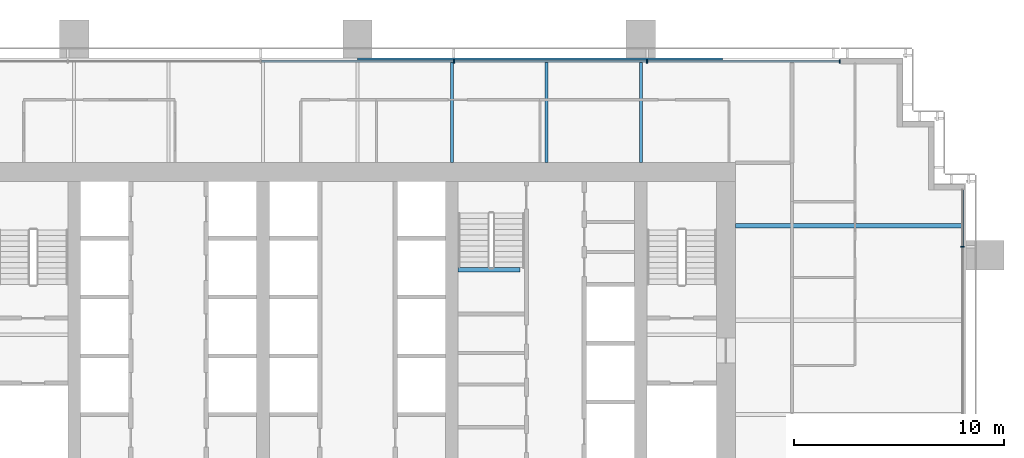
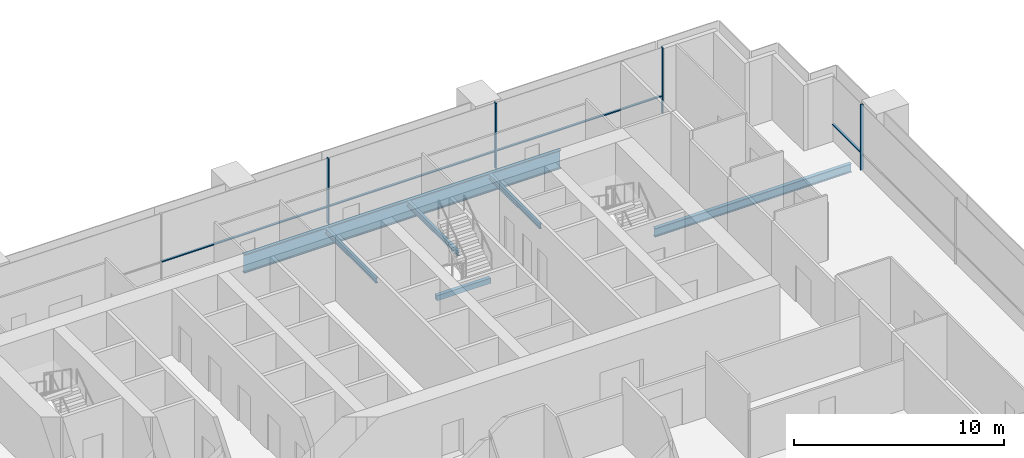
# One storey, part 8 of 18: 8 members, 6 beams, 2 elements without a shape of their own.
"""IFC4 building model written with IfcOpenShell, lengths in metres."""

from ifc_helpers import new_model, si_unit, direction, frame, origin, origin_2d, place, context, subcontext, project, spatial, rectangle, i_section, extrude, material, material_profile, profile_set, type_object, element, aggregate, save


model = new_model("IFC4")

# Units and contexts
model_context = context("Model", 3, precision=1e-05, world=origin(), true_north=direction((0.0, 1.0)))
body_context = subcontext(model_context, "Body", "Model", "MODEL_VIEW")
ifc_project = project(units=[si_unit("LENGTHUNIT", "METRE"), si_unit("AREAUNIT", "SQUARE_METRE"), si_unit("VOLUMEUNIT", "CUBIC_METRE"), si_unit("PLANEANGLEUNIT", "RADIAN"), si_unit("MASSUNIT", "GRAM", prefix="KILO")], contexts=[model_context])

# Site, building, storey
site_placement = place(None, origin())
site = spatial("IfcSite", under=ifc_project, at=site_placement, CompositionType="ELEMENT")
building_placement = place(site_placement, origin())
building = spatial("IfcBuilding", under=site, at=building_placement, Name="Rattan Terrace Tower", CompositionType="ELEMENT")
storey_placement = place(building_placement, frame((0.0, 0.0, 134.10009765625)))
storey = spatial("IfcBuildingStorey", under=building, at=storey_placement, Name="L30", CompositionType="ELEMENT", Elevation=134.10009765625)

# Beam
ifc_material_1 = material(Name="Concrete C40/50", Category="concrete")
ifc_material_profile_1 = material_profile(ifc_material_1, rectangle(XDim=0.199951171875, YDim=0.300048828125, at=origin_2d()), Name="RC 200x300")
ifc_profile_set_1 = profile_set([ifc_material_profile_1], Name="Concrete C40/50")
beam_type_1 = type_object("IfcBeamType", Name="Core landing beam RC 200x300", PredefinedType="BEAM", material=ifc_profile_set_1)
beam_1_placement = place(storey_placement, frame((4.800048828125, 2.39990234375, 1.64990234375), z_axis=(1.0, 0.0, 0.0), x_axis=(0.0, 1.0, 0.0)))
element("IfcBeam", 1, at=beam_1_placement, inside=storey, type_object=beam_type_1, Name="st-S3-L30 landing 1 edge beam", PredefinedType="BEAM", context=body_context, shape_type="SweptSolid", body=[
    extrude(rectangle(XDim=0.199951171875, YDim=0.300048828125, at=origin_2d()), origin(), (0.0, 0.0, 1.0), 2.949951171875),
])

# Curtain wall, member
ifc_material_2 = material(Name="Aluminium and glass", Category="aluminium")
curtain_wall_type = type_object("IfcCurtainWallType", Name="Facade Unitised Curtain Wall", PredefinedType="NOTDEFINED", material=ifc_material_2)
curtain_wall_1_placement = place(storey_placement, origin())
curtain_wall_1 = element("IfcCurtainWall", 2, at=curtain_wall_1_placement, inside=storey, type_object=curtain_wall_type, Name="Curtain wall L30-1", PredefinedType="NOTDEFINED")
ifc_material_3 = material(Name="Aluminium", Category="aluminium")
ifc_material_profile_2 = material_profile(ifc_material_3, rectangle(XDim=0.06005859375, YDim=0.159912109375, at=origin_2d()), Name="Aluminium 60x160")
ifc_profile_set_2 = profile_set([ifc_material_profile_2], Name="Aluminium")
member_type_1 = type_object("IfcMemberType", Name="Facade CW Mullion 60x160", PredefinedType="MULLION", material=ifc_profile_set_2)
member_1_placement = place(storey_placement, frame((28.830078125, 3.5, 0.0), z_axis=(0.0, 0.0, 1.0), x_axis=(0.0, 1.0, 0.0)))
member_1 = element("IfcMember", 3, at=member_1_placement, type_object=member_type_1, Name="Mullion cwl-L30-001.4", PredefinedType="MULLION", context=body_context, shape_type="SweptSolid", body=[
    extrude(rectangle(XDim=0.06005859375, YDim=0.159912109375, at=origin_2d()), origin(), (0.0, 0.0, 1.0), 3.7998046875),
])

# Curtain wall, members
curtain_wall_2_placement = place(storey_placement, origin())
curtain_wall_2 = element("IfcCurtainWall", 4, at=curtain_wall_2_placement, inside=storey, type_object=curtain_wall_type, Name="Curtain wall L30-2", PredefinedType="NOTDEFINED")
member_2_placement = place(storey_placement, frame((22.969970703125, 12.330078125, 0.0), z_axis=(0.0, 0.0, 1.0), x_axis=(-1.0, 0.0, 0.0)))
member_2 = element("IfcMember", 5, at=member_2_placement, type_object=member_type_1, Name="Mullion cwl-L30-002.1", PredefinedType="MULLION", context=body_context, shape_type="SweptSolid", body=[
    extrude(rectangle(XDim=0.06005859375, YDim=0.159912109375, at=origin_2d()), origin(), (0.0, 0.0, 1.0), 3.7998046875),
])
member_3_placement = place(storey_placement, frame((13.799072265625, 12.330078125, 0.0), z_axis=(0.0, 0.0, 1.0), x_axis=(-1.0, 0.0, 0.0)))
member_3 = element("IfcMember", 6, at=member_3_placement, type_object=member_type_1, Name="Mullion cwl-L30-002.2", PredefinedType="MULLION", context=body_context, shape_type="SweptSolid", body=[
    extrude(rectangle(XDim=0.06005859375, YDim=0.159912109375, at=origin_2d()), origin(), (0.0, 0.0, 1.0), 3.7998046875),
])
member_4_placement = place(storey_placement, frame((4.597900390625, 12.330078125, 0.0), z_axis=(0.0, 0.0, 1.0), x_axis=(-1.0, 0.0, 0.0)))
member_4 = element("IfcMember", 7, at=member_4_placement, type_object=member_type_1, Name="Mullion cwl-L30-002.3", PredefinedType="MULLION", context=body_context, shape_type="SweptSolid", body=[
    extrude(rectangle(XDim=0.06005859375, YDim=0.159912109375, at=origin_2d()), origin(), (0.0, 0.0, 1.0), 3.7998046875),
])

# Member
ifc_material_4 = material(Name="Aluminium", Category="aluminium")
ifc_material_profile_3 = material_profile(ifc_material_4, rectangle(XDim=0.1201171875, YDim=0.06005859375, at=origin_2d()), Name="Aluminium 120x60")
ifc_profile_set_3 = profile_set([ifc_material_profile_3], Name="Aluminium")
member_type_2 = type_object("IfcMemberType", Name="Facade CW Transom 120x60", PredefinedType="USERDEFINED", material=ifc_profile_set_3)
member_5_placement = place(storey_placement, frame((28.830078125, 3.530029296875, 1.0), z_axis=(0.0, 1.0, 0.0), x_axis=(-1.0, 0.0, 0.0)))
member_5 = element("IfcMember", 8, at=member_5_placement, type_object=member_type_2, Name="Transom cwl-L30-001.4", ObjectType="TRANSOM", PredefinedType="USERDEFINED", context=body_context, shape_type="SweptSolid", body=[
    extrude(rectangle(XDim=0.1201171875, YDim=0.06005859375, at=origin_2d()), origin(), (0.0, 0.0, 1.0), 2.675048828125),
])

aggregate(curtain_wall_1, [member_1, member_5])

member_6_placement = place(storey_placement, frame((22.93994140625, 12.330078125, 1.0), z_axis=(-1.0, 0.0, 0.0), x_axis=(0.0, -1.0, 0.0)))
member_6 = element("IfcMember", 9, at=member_6_placement, type_object=member_type_2, Name="Transom cwl-L30-002.1", ObjectType="TRANSOM", PredefinedType="USERDEFINED", context=body_context, shape_type="SweptSolid", body=[
    extrude(rectangle(XDim=0.1201171875, YDim=0.06005859375, at=origin_2d()), origin(), (0.0, 0.0, 1.0), 9.11083984375),
])

member_7_placement = place(storey_placement, frame((13.76904296875, 12.330078125, 1.0), z_axis=(-1.0, 0.0, 0.0), x_axis=(0.0, -1.0, 0.0)))
member_7 = element("IfcMember", 10, at=member_7_placement, type_object=member_type_2, Name="Transom cwl-L30-002.2", ObjectType="TRANSOM", PredefinedType="USERDEFINED", context=body_context, shape_type="SweptSolid", body=[
    extrude(rectangle(XDim=0.1201171875, YDim=0.06005859375, at=origin_2d()), origin(), (0.0, 0.0, 1.0), 9.14111328125),
])

member_8_placement = place(storey_placement, frame((4.568115234375, 12.330078125, 1.0), z_axis=(-1.0, 0.0, 0.0), x_axis=(0.0, -1.0, 0.0)))
member_8 = element("IfcMember", 11, at=member_8_placement, type_object=member_type_2, Name="Transom cwl-L30-002.3", ObjectType="TRANSOM", PredefinedType="USERDEFINED", context=body_context, shape_type="SweptSolid", body=[
    extrude(rectangle(XDim=0.1201171875, YDim=0.06005859375, at=origin_2d()), origin(), (0.0, 0.0, 1.0), 9.14111328125),
])

aggregate(curtain_wall_2, [member_2, member_3, member_4, member_6, member_7, member_8])

# Beams
ifc_material_5 = material(Name="Steel S460", Category="steel")
ifc_material_profile_4 = material_profile(ifc_material_5, i_section(OverallWidth=0.179931640625, OverallDepth=1.10009765625, WebThickness=0.01611328125, FlangeThickness=0.050048828125, at=origin_2d()), Name="PG 1100x180-16-50")
ifc_profile_set_4 = profile_set([ifc_material_profile_4], Name="Steel S460")
beam_type_2 = type_object("IfcBeamType", Name="Frame edge girder PG 1100x180-16-50", PredefinedType="SPANDREL", material=ifc_profile_set_4)
beam_2_placement = place(storey_placement, frame((17.39990234375, 12.409912109375, -0.75), z_axis=(-1.0, 0.0, 0.0), x_axis=(0.0, -1.0, 0.0)))
element("IfcBeam", 12, at=beam_2_placement, inside=storey, type_object=beam_type_2, Name="gdr-L30-006", PredefinedType="SPANDREL", context=body_context, shape_type="SweptSolid", body=[
    extrude(i_section(OverallWidth=0.179931640625, OverallDepth=1.10009765625, WebThickness=0.01611328125, FlangeThickness=0.050048828125, at=origin_2d()), origin(), (0.0, 0.0, 1.0), 17.39990234375),
])
ifc_material_6 = material(Name="Steel S355", Category="steel")
ifc_material_profile_5 = material_profile(ifc_material_6, i_section(OverallWidth=0.14990234375, OverallDepth=0.300048828125, WebThickness=0.007080078125, FlangeThickness=0.0107421875, FilletRadius=0.014892578125, at=origin_2d()), Name="IPE 300")
ifc_profile_set_5 = profile_set([ifc_material_profile_5], Name="Steel S355")
beam_type_3 = type_object("IfcBeamType", Name="Frame floor beam IPE 300", PredefinedType="JOIST", material=ifc_profile_set_5)
for number, where, z_axis, x_axis, name in (
    (13, (4.5, 7.5, -0.35009765625), (0.0, 1.0, 0.0), (-1.0, 0.0, 0.0), "bm-L30-020"),
    (14, (9.0, 7.5, -0.35009765625), (0.0, 1.0, 0.0), (-1.0, 0.0, 0.0), "bm-L30-021"),
    (15, (13.5, 7.5, -0.35009765625), (0.0, 1.0, 0.0), (-1.0, 0.0, 0.0), "bm-L30-022"),
):
    element("IfcBeam", number, at=place(storey_placement, frame(where, z_axis=z_axis, x_axis=x_axis)), inside=storey, type_object=beam_type_3, Name=name, PredefinedType="JOIST", context=body_context, shape_type="SweptSolid", body=[
        extrude(i_section(OverallWidth=0.14990234375, OverallDepth=0.300048828125, WebThickness=0.007080078125, FlangeThickness=0.0107421875, FilletRadius=0.014892578125, at=origin_2d()), origin(), (0.0, 0.0, 1.0), 4.820068359375),
    ])
ifc_material_7 = material(Name="Steel S355", Category="steel")
ifc_material_profile_6 = material_profile(ifc_material_7, i_section(OverallWidth=0.199951171875, OverallDepth=0.5, WebThickness=0.01025390625, FlangeThickness=0.01611328125, FilletRadius=0.02099609375, at=origin_2d()), Name="IPE 500")
ifc_profile_set_6 = profile_set([ifc_material_profile_6], Name="Steel S355")
beam_type_4 = type_object("IfcBeamType", Name="Frame floor beam IPE 500", PredefinedType="JOIST", material=ifc_profile_set_6)
beam_3_placement = place(storey_placement, frame((18.0, 4.5, -0.4501953125), z_axis=(1.0, 0.0, 0.0), x_axis=(0.0, 1.0, 0.0)))
element("IfcBeam", 16, at=beam_3_placement, inside=storey, type_object=beam_type_4, Name="bm-L30-015", PredefinedType="JOIST", context=body_context, shape_type="SweptSolid", body=[
    extrude(i_section(OverallWidth=0.199951171875, OverallDepth=0.5, WebThickness=0.01025390625, FlangeThickness=0.01611328125, FilletRadius=0.02099609375, at=origin_2d()), origin(), (0.0, 0.0, 1.0), 10.820068359375),
])

save(model, "model.ifc")
